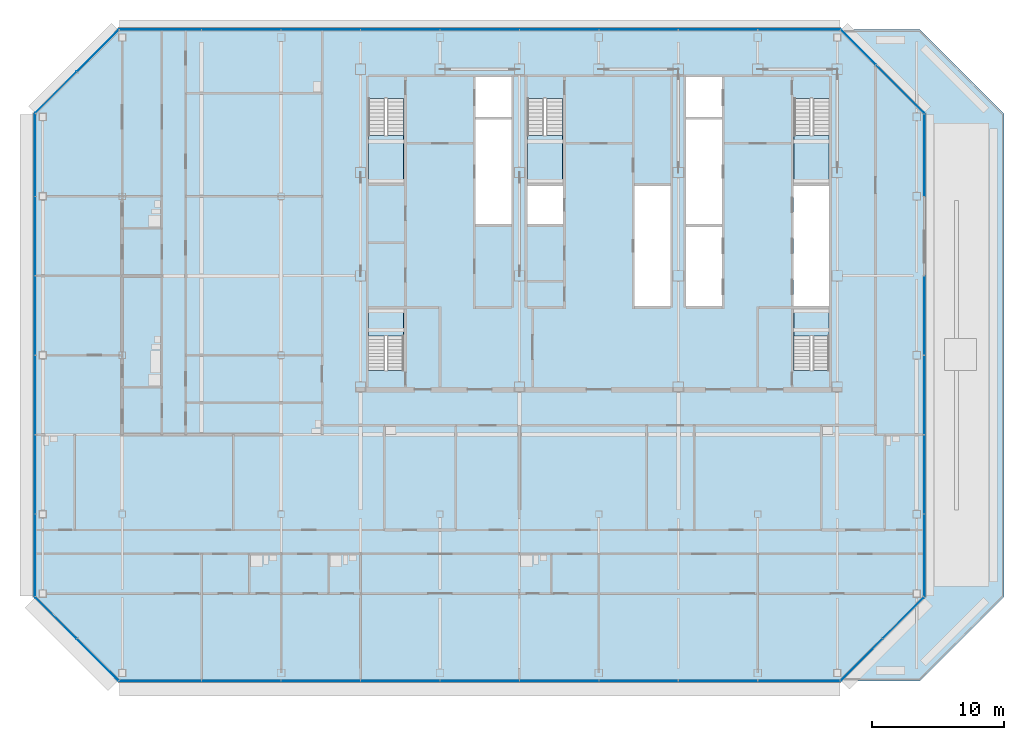
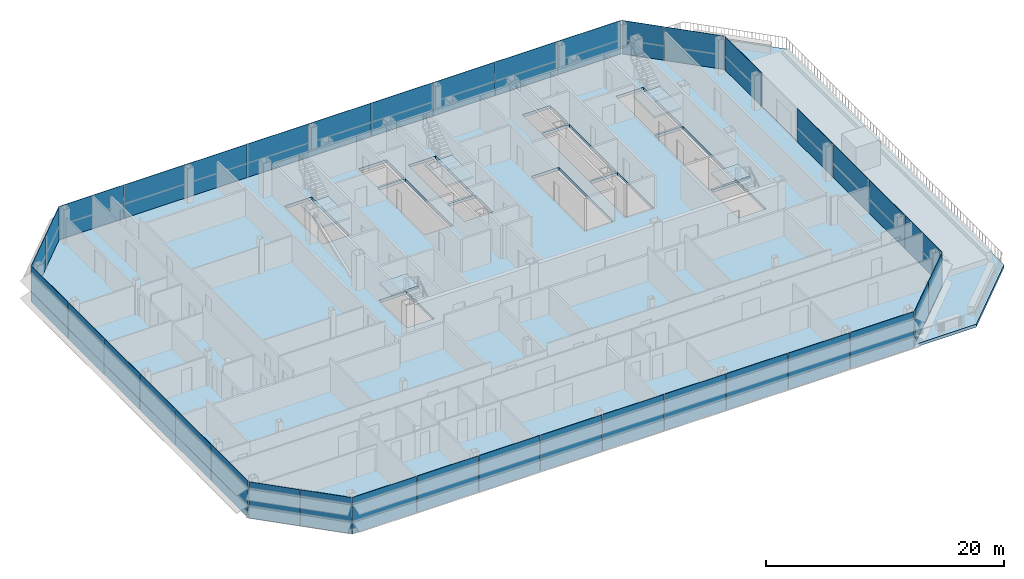
# One storey, part 17 of 28: 37 plates, 7 slabs, 13 elements without a shape of their own.
"""IFC4 building model written with IfcOpenShell, lengths in metres."""

from ifc_helpers import new_model, si_unit, direction, frame, origin, origin_2d, place, context, subcontext, project, spatial, polyline, rectangle, outline, extrude, material, layer, layer_set, type_object, element, aggregate, save


model = new_model("IFC4")

# Units and contexts
model_context = context("Model", 3, precision=1e-05, world=origin(), true_north=direction((0.0, 1.0)))
body_context = subcontext(model_context, "Body", "Model", "MODEL_VIEW")
ifc_project = project(units=[si_unit("LENGTHUNIT", "METRE"), si_unit("AREAUNIT", "SQUARE_METRE"), si_unit("VOLUMEUNIT", "CUBIC_METRE"), si_unit("PLANEANGLEUNIT", "RADIAN"), si_unit("MASSUNIT", "GRAM", prefix="KILO")], contexts=[model_context])

# Site, building, storey
site_placement = place(None, origin())
site = spatial("IfcSite", under=ifc_project, at=site_placement, CompositionType="ELEMENT")
building_placement = place(site_placement, origin())
building = spatial("IfcBuilding", under=site, at=building_placement, Name="Sorahane Residences", CompositionType="ELEMENT")
storey_placement = place(building_placement, frame((0.0, 0.0, 290.800048828125)))
storey = spatial("IfcBuildingStorey", under=building, at=storey_placement, Name="L68", CompositionType="ELEMENT", Elevation=290.800048828125)

# Slab
ifc_material_1 = material(Name="Concrete C35", Category="concrete")
ifc_layer_1 = layer(ifc_material_1, 0.300048828125)
ifc_layer_set_1 = layer_set([ifc_layer_1], Name="Composite floor slab 300 mm Concrete C35")
slab_type_1 = type_object("IfcSlabType", Name="Composite floor slab 300 mm Concrete C35", PredefinedType="FLOOR", material=ifc_layer_set_1)
slab_1_placement = place(storey_placement, frame((0.0, 0.0, -0.300048828125)))
element("IfcSlab", 1, at=slab_1_placement, inside=storey, type_object=slab_type_1, Name="Slab L68", PredefinedType="FLOOR", context=body_context, shape_type="SweptSolid", body=[
    extrude(outline(polyline([(-12.24853515625, -0.60009765625), (-18.60009765625, 5.75146484375), (-18.60009765625, 42.24853515625), (-12.24853515625, 48.60009765625), (42.24853515625, 48.60009765625), (48.60009765625, 42.24853515625), (48.60009765625, 5.75146484375), (42.24853515625, -0.60009765625), (-12.24853515625, -0.60009765625)]), holes=[polyline([(38.699951171875, 27.699951171875), (41.39990234375, 27.699951171875), (41.39990234375, 36.800048828125), (38.699951171875, 36.800048828125), (38.699951171875, 27.699951171875)]), polyline([(30.60009765625, 27.699951171875), (33.300048828125, 27.699951171875), (33.300048828125, 33.699951171875), (30.60009765625, 33.699951171875), (30.60009765625, 27.699951171875)]), polyline([(30.60009765625, 42.0), (33.300048828125, 42.0), (33.300048828125, 45.0), (30.60009765625, 45.0), (30.60009765625, 42.0)]), polyline([(14.699951171875, 42.0), (17.39990234375, 42.0), (17.39990234375, 45.0), (14.699951171875, 45.0), (14.699951171875, 42.0)]), polyline([(6.60009765625, 43.39990234375), (6.60009765625, 37.0), (9.25, 37.0), (9.25, 43.39990234375), (6.60009765625, 43.39990234375)]), polyline([(38.75, 43.39990234375), (38.75, 37.0), (41.39990234375, 37.0), (41.39990234375, 43.39990234375), (38.75, 43.39990234375)]), polyline([(18.60009765625, 43.39990234375), (18.60009765625, 37.0), (21.25, 37.0), (21.25, 43.39990234375), (18.60009765625, 43.39990234375)]), polyline([(9.25, 22.85009765625), (9.25, 27.5), (6.60009765625, 27.5), (6.60009765625, 22.85009765625), (9.25, 22.85009765625)]), polyline([(41.39990234375, 22.85009765625), (41.39990234375, 27.5), (38.75, 27.5), (38.75, 22.85009765625), (41.39990234375, 22.85009765625)]), polyline([(14.699951171875, 33.89990234375), (17.39990234375, 33.89990234375), (17.39990234375, 41.800048828125), (14.699951171875, 41.800048828125), (14.699951171875, 33.89990234375)]), polyline([(30.60009765625, 33.89990234375), (33.300048828125, 33.89990234375), (33.300048828125, 41.800048828125), (30.60009765625, 41.800048828125), (30.60009765625, 33.89990234375)]), polyline([(18.60009765625, 33.89990234375), (21.300048828125, 33.89990234375), (21.300048828125, 36.800048828125), (18.60009765625, 36.800048828125), (18.60009765625, 33.89990234375)]), polyline([(26.699951171875, 27.699951171875), (29.39990234375, 27.699951171875), (29.39990234375, 36.800048828125), (26.699951171875, 36.800048828125), (26.699951171875, 27.699951171875)])]), origin(), (0.0, 0.0, 1.0), 0.300048828125),
])

# Curtain wall, plates
ifc_material_2 = material(Name="Dark low-e glass and black anodised aluminium", Category="aluminium")
curtain_wall_type_1 = type_object("IfcCurtainWallType", Name="Curtain wall CW-1 Typical unitised wall", PredefinedType="NOTDEFINED", material=ifc_material_2)
curtain_wall_1_placement = place(storey_placement, origin())
curtain_wall_1 = element("IfcCurtainWall", 2, at=curtain_wall_1_placement, inside=storey, type_object=curtain_wall_type_1, Name="CW-1 curtain wall L68 S1", PredefinedType="NOTDEFINED")
ifc_material_3 = material(Name="Dark low-e glass with black ceramic frit", Category="glass")
ifc_layer_2 = layer(ifc_material_3, 0.0400390625)
ifc_layer_set_2 = layer_set([ifc_layer_2], Name="Curtain wall glass panel dark low-e with black frit spandrel band")
plate_type = type_object("IfcPlateType", Name="Curtain wall glass panel dark low-e with black frit spandrel band", PredefinedType="CURTAIN_PANEL", material=ifc_layer_set_2)
plate_1_placement = place(storey_placement, frame((-9.11181640625, -0.60009765625, -0.2998046875), z_axis=(0.0, 0.0, 1.0), x_axis=(1.0, 0.0, 0.0)))
plate_1 = element("IfcPlate", 3, at=plate_1_placement, type_object=plate_type, Name="CW-1 glass panel L68 S1.1", PredefinedType="CURTAIN_PANEL", context=body_context, shape_type="SweptSolid", body=[
    extrude(rectangle(XDim=6.173583984375, YDim=0.0400390625, at=origin_2d()), origin(), (0.0, 0.0, 1.0), 3.719970703125),
])
plate_2_placement = place(storey_placement, frame((-3.0, -0.60009765625, -0.2998046875), z_axis=(0.0, 0.0, 1.0), x_axis=(1.0, 0.0, 0.0)))
plate_2 = element("IfcPlate", 4, at=plate_2_placement, type_object=plate_type, Name="CW-1 glass panel L68 S1.2", PredefinedType="CURTAIN_PANEL", context=body_context, shape_type="SweptSolid", body=[
    extrude(rectangle(XDim=5.949951171875, YDim=0.0400390625, at=origin_2d()), origin(), (0.0, 0.0, 1.0), 3.719970703125),
])
plate_3_placement = place(storey_placement, frame((3.0, -0.60009765625, -0.2998046875), z_axis=(0.0, 0.0, 1.0), x_axis=(1.0, 0.0, 0.0)))
plate_3 = element("IfcPlate", 5, at=plate_3_placement, type_object=plate_type, Name="CW-1 glass panel L68 S1.3", PredefinedType="CURTAIN_PANEL", context=body_context, shape_type="SweptSolid", body=[
    extrude(rectangle(XDim=5.949951171875, YDim=0.0400390625, at=origin_2d()), origin(), (0.0, 0.0, 1.0), 3.719970703125),
])
plate_4_placement = place(storey_placement, frame((9.0, -0.60009765625, -0.2998046875), z_axis=(0.0, 0.0, 1.0), x_axis=(1.0, 0.0, 0.0)))
plate_4 = element("IfcPlate", 6, at=plate_4_placement, type_object=plate_type, Name="CW-1 glass panel L68 S1.4", PredefinedType="CURTAIN_PANEL", context=body_context, shape_type="SweptSolid", body=[
    extrude(rectangle(XDim=5.949951171875, YDim=0.0400390625, at=origin_2d()), origin(), (0.0, 0.0, 1.0), 3.719970703125),
])
plate_5_placement = place(storey_placement, frame((15.0, -0.60009765625, -0.2998046875), z_axis=(0.0, 0.0, 1.0), x_axis=(1.0, 0.0, 0.0)))
plate_5 = element("IfcPlate", 7, at=plate_5_placement, type_object=plate_type, Name="CW-1 glass panel L68 S1.5", PredefinedType="CURTAIN_PANEL", context=body_context, shape_type="SweptSolid", body=[
    extrude(rectangle(XDim=5.949951171875, YDim=0.0400390625, at=origin_2d()), origin(), (0.0, 0.0, 1.0), 3.719970703125),
])
plate_6_placement = place(storey_placement, frame((21.0, -0.60009765625, -0.2998046875), z_axis=(0.0, 0.0, 1.0), x_axis=(1.0, 0.0, 0.0)))
plate_6 = element("IfcPlate", 8, at=plate_6_placement, type_object=plate_type, Name="CW-1 glass panel L68 S1.6", PredefinedType="CURTAIN_PANEL", context=body_context, shape_type="SweptSolid", body=[
    extrude(rectangle(XDim=5.949951171875, YDim=0.0400390625, at=origin_2d()), origin(), (0.0, 0.0, 1.0), 3.719970703125),
])
plate_7_placement = place(storey_placement, frame((27.0, -0.60009765625, -0.2998046875), z_axis=(0.0, 0.0, 1.0), x_axis=(1.0, 0.0, 0.0)))
plate_7 = element("IfcPlate", 9, at=plate_7_placement, type_object=plate_type, Name="CW-1 glass panel L68 S1.7", PredefinedType="CURTAIN_PANEL", context=body_context, shape_type="SweptSolid", body=[
    extrude(rectangle(XDim=5.949951171875, YDim=0.0400390625, at=origin_2d()), origin(), (0.0, 0.0, 1.0), 3.719970703125),
])
plate_8_placement = place(storey_placement, frame((33.0, -0.60009765625, -0.2998046875), z_axis=(0.0, 0.0, 1.0), x_axis=(1.0, 0.0, 0.0)))
plate_8 = element("IfcPlate", 10, at=plate_8_placement, type_object=plate_type, Name="CW-1 glass panel L68 S1.8", PredefinedType="CURTAIN_PANEL", context=body_context, shape_type="SweptSolid", body=[
    extrude(rectangle(XDim=5.949951171875, YDim=0.0400390625, at=origin_2d()), origin(), (0.0, 0.0, 1.0), 3.719970703125),
])
plate_9_placement = place(storey_placement, frame((39.11181640625, -0.60009765625, -0.2998046875), z_axis=(0.0, 0.0, 1.0), x_axis=(1.0, 0.0, 0.0)))
plate_9 = element("IfcPlate", 11, at=plate_9_placement, type_object=plate_type, Name="CW-1 glass panel L68 S1.9", PredefinedType="CURTAIN_PANEL", context=body_context, shape_type="SweptSolid", body=[
    extrude(rectangle(XDim=6.173583984375, YDim=0.0400390625, at=origin_2d()), origin(), (0.0, 0.0, 1.0), 3.719970703125),
])
aggregate(curtain_wall_1, [plate_1, plate_2, plate_3, plate_4, plate_5, plate_6, plate_7, plate_8, plate_9])

ifc_material_4 = material(Name="Dark low-e glass and black anodised aluminium", Category="aluminium")
curtain_wall_type_2 = type_object("IfcCurtainWallType", Name="Curtain wall CW-2 Chamfer unitised wall", PredefinedType="NOTDEFINED", material=ifc_material_4)
curtain_wall_2_placement = place(storey_placement, origin())
curtain_wall_2 = element("IfcCurtainWall", 12, at=curtain_wall_2_placement, inside=storey, type_object=curtain_wall_type_2, Name="CW-2 curtain wall L68 SE1", PredefinedType="NOTDEFINED")
plate_10_placement = place(storey_placement, frame((43.84521484375, 0.996826171875, -0.2998046875), z_axis=(0.0, 0.0, 1.0), x_axis=(0.707106781187, 0.707106781187, 0.0)))
plate_10 = element("IfcPlate", 13, at=plate_10_placement, type_object=plate_type, Name="CW-2 glass panel L68 SE1.1", PredefinedType="CURTAIN_PANEL", context=body_context, shape_type="SweptSolid", body=[
    extrude(rectangle(XDim=4.416259765625, YDim=0.0400390625, at=origin_2d()), origin(), (0.0, 0.0, 1.0), 3.719970703125),
])
plate_11_placement = place(storey_placement, frame((47.003173828125, 4.15478515625, -0.2998046875), z_axis=(0.0, 0.0, 1.0), x_axis=(0.707106781187, 0.707106781187, 0.0)))
plate_11 = element("IfcPlate", 14, at=plate_11_placement, type_object=plate_type, Name="CW-2 glass panel L68 SE1.2", PredefinedType="CURTAIN_PANEL", context=body_context, shape_type="SweptSolid", body=[
    extrude(rectangle(XDim=4.416259765625, YDim=0.0400390625, at=origin_2d()), origin(), (0.0, 0.0, 1.0), 3.719970703125),
])
aggregate(curtain_wall_2, [plate_10, plate_11])

curtain_wall_3_placement = place(storey_placement, origin())
curtain_wall_3 = element("IfcCurtainWall", 15, at=curtain_wall_3_placement, inside=storey, type_object=curtain_wall_type_1, Name="CW-1 curtain wall L68 E1", PredefinedType="NOTDEFINED")
plate_12_placement = place(storey_placement, frame((48.60009765625, 8.88818359375, -0.2998046875), z_axis=(0.0, 0.0, 1.0), x_axis=(0.0, 1.0, 0.0)))
plate_12 = element("IfcPlate", 16, at=plate_12_placement, type_object=plate_type, Name="CW-1 glass panel L68 E1.1", PredefinedType="CURTAIN_PANEL", context=body_context, shape_type="SweptSolid", body=[
    extrude(rectangle(XDim=6.173583984375, YDim=0.0400390625, at=origin_2d()), origin(), (0.0, 0.0, 1.0), 3.719970703125),
])
plate_13_placement = place(storey_placement, frame((48.60009765625, 15.0, -0.2998046875), z_axis=(0.0, 0.0, 1.0), x_axis=(0.0, 1.0, 0.0)))
plate_13 = element("IfcPlate", 17, at=plate_13_placement, type_object=plate_type, Name="CW-1 glass panel L68 E1.2", PredefinedType="CURTAIN_PANEL", context=body_context, shape_type="SweptSolid", body=[
    extrude(rectangle(XDim=5.949951171875, YDim=0.0400390625, at=origin_2d()), origin(), (0.0, 0.0, 1.0), 3.719970703125),
])
plate_14_placement = place(storey_placement, frame((48.60009765625, 21.0, -0.2998046875), z_axis=(0.0, 0.0, 1.0), x_axis=(0.0, 1.0, 0.0)))
plate_14 = element("IfcPlate", 18, at=plate_14_placement, type_object=plate_type, Name="CW-1 glass panel L68 E1.3", PredefinedType="CURTAIN_PANEL", context=body_context, shape_type="SweptSolid", body=[
    extrude(rectangle(XDim=5.949951171875, YDim=0.0400390625, at=origin_2d()), origin(), (0.0, 0.0, 1.0), 3.719970703125),
])
plate_15_placement = place(storey_placement, frame((48.60009765625, 27.0, -0.2998046875), z_axis=(0.0, 0.0, 1.0), x_axis=(0.0, 1.0, 0.0)))
plate_15 = element("IfcPlate", 19, at=plate_15_placement, type_object=plate_type, Name="CW-1 glass panel L68 E1.4", PredefinedType="CURTAIN_PANEL", context=body_context, shape_type="SweptSolid", body=[
    extrude(rectangle(XDim=5.949951171875, YDim=0.0400390625, at=origin_2d()), origin(), (0.0, 0.0, 1.0), 3.719970703125),
])
plate_16_placement = place(storey_placement, frame((48.60009765625, 39.11181640625, -0.2998046875), z_axis=(0.0, 0.0, 1.0), x_axis=(0.0, 1.0, 0.0)))
plate_16 = element("IfcPlate", 20, at=plate_16_placement, type_object=plate_type, Name="CW-1 glass panel L68 E1.6", PredefinedType="CURTAIN_PANEL", context=body_context, shape_type="SweptSolid", body=[
    extrude(rectangle(XDim=6.173583984375, YDim=0.0400390625, at=origin_2d()), origin(), (0.0, 0.0, 1.0), 3.719970703125),
])
aggregate(curtain_wall_3, [plate_12, plate_13, plate_14, plate_15, plate_16])

curtain_wall_4_placement = place(storey_placement, origin())
curtain_wall_4 = element("IfcCurtainWall", 21, at=curtain_wall_4_placement, inside=storey, type_object=curtain_wall_type_2, Name="CW-2 curtain wall L68 NE1", PredefinedType="NOTDEFINED")
plate_17_placement = place(storey_placement, frame((46.740966796875, 44.107421875, -0.2998046875), z_axis=(0.0, 0.0, 1.0), x_axis=(-0.707106781187, 0.707106781187, 0.0)))
plate_17 = element("IfcPlate", 22, at=plate_17_placement, type_object=plate_type, Name="CW-2 glass panel L68 NE1.1", PredefinedType="CURTAIN_PANEL", context=body_context, shape_type="SweptSolid", body=[
    extrude(rectangle(XDim=5.157958984375, YDim=0.0400390625, at=origin_2d()), origin(), (0.0, 0.0, 1.0), 3.719970703125),
])
plate_18_placement = place(storey_placement, frame((43.5830078125, 47.265625, -0.2998046875), z_axis=(0.0, 0.0, 1.0), x_axis=(-0.707106781187, 0.707106781187, 0.0)))
plate_18 = element("IfcPlate", 23, at=plate_18_placement, type_object=plate_type, Name="CW-2 glass panel L68 NE1.2", PredefinedType="CURTAIN_PANEL", context=body_context, shape_type="SweptSolid", body=[
    extrude(rectangle(XDim=3.67431640625, YDim=0.0400390625, at=origin_2d()), origin(), (0.0, 0.0, 1.0), 3.719970703125),
])
aggregate(curtain_wall_4, [plate_17, plate_18])

curtain_wall_5_placement = place(storey_placement, origin())
curtain_wall_5 = element("IfcCurtainWall", 24, at=curtain_wall_5_placement, inside=storey, type_object=curtain_wall_type_1, Name="CW-1 curtain wall L68 N1", PredefinedType="NOTDEFINED")
plate_19_placement = place(storey_placement, frame((39.11181640625, 48.60009765625, -0.2998046875), z_axis=(0.0, 0.0, 1.0), x_axis=(-1.0, 0.0, 0.0)))
plate_19 = element("IfcPlate", 25, at=plate_19_placement, type_object=plate_type, Name="CW-1 glass panel L68 N1.1", PredefinedType="CURTAIN_PANEL", context=body_context, shape_type="SweptSolid", body=[
    extrude(rectangle(XDim=6.173583984375, YDim=0.0400390625, at=origin_2d()), origin(), (0.0, 0.0, 1.0), 3.719970703125),
])
plate_20_placement = place(storey_placement, frame((33.0, 48.60009765625, -0.2998046875), z_axis=(0.0, 0.0, 1.0), x_axis=(-1.0, 0.0, 0.0)))
plate_20 = element("IfcPlate", 26, at=plate_20_placement, type_object=plate_type, Name="CW-1 glass panel L68 N1.2", PredefinedType="CURTAIN_PANEL", context=body_context, shape_type="SweptSolid", body=[
    extrude(rectangle(XDim=5.949951171875, YDim=0.0400390625, at=origin_2d()), origin(), (0.0, 0.0, 1.0), 3.719970703125),
])
plate_21_placement = place(storey_placement, frame((27.0, 48.60009765625, -0.2998046875), z_axis=(0.0, 0.0, 1.0), x_axis=(-1.0, 0.0, 0.0)))
plate_21 = element("IfcPlate", 27, at=plate_21_placement, type_object=plate_type, Name="CW-1 glass panel L68 N1.3", PredefinedType="CURTAIN_PANEL", context=body_context, shape_type="SweptSolid", body=[
    extrude(rectangle(XDim=5.949951171875, YDim=0.0400390625, at=origin_2d()), origin(), (0.0, 0.0, 1.0), 3.719970703125),
])
plate_22_placement = place(storey_placement, frame((21.0, 48.60009765625, -0.2998046875), z_axis=(0.0, 0.0, 1.0), x_axis=(-1.0, 0.0, 0.0)))
plate_22 = element("IfcPlate", 28, at=plate_22_placement, type_object=plate_type, Name="CW-1 glass panel L68 N1.4", PredefinedType="CURTAIN_PANEL", context=body_context, shape_type="SweptSolid", body=[
    extrude(rectangle(XDim=5.949951171875, YDim=0.0400390625, at=origin_2d()), origin(), (0.0, 0.0, 1.0), 3.719970703125),
])
plate_23_placement = place(storey_placement, frame((15.0, 48.60009765625, -0.2998046875), z_axis=(0.0, 0.0, 1.0), x_axis=(-1.0, 0.0, 0.0)))
plate_23 = element("IfcPlate", 29, at=plate_23_placement, type_object=plate_type, Name="CW-1 glass panel L68 N1.5", PredefinedType="CURTAIN_PANEL", context=body_context, shape_type="SweptSolid", body=[
    extrude(rectangle(XDim=5.949951171875, YDim=0.0400390625, at=origin_2d()), origin(), (0.0, 0.0, 1.0), 3.719970703125),
])
plate_24_placement = place(storey_placement, frame((9.0, 48.60009765625, -0.2998046875), z_axis=(0.0, 0.0, 1.0), x_axis=(-1.0, 0.0, 0.0)))
plate_24 = element("IfcPlate", 30, at=plate_24_placement, type_object=plate_type, Name="CW-1 glass panel L68 N1.6", PredefinedType="CURTAIN_PANEL", context=body_context, shape_type="SweptSolid", body=[
    extrude(rectangle(XDim=5.949951171875, YDim=0.0400390625, at=origin_2d()), origin(), (0.0, 0.0, 1.0), 3.719970703125),
])
plate_25_placement = place(storey_placement, frame((3.0, 48.60009765625, -0.2998046875), z_axis=(0.0, 0.0, 1.0), x_axis=(-1.0, 0.0, 0.0)))
plate_25 = element("IfcPlate", 31, at=plate_25_placement, type_object=plate_type, Name="CW-1 glass panel L68 N1.7", PredefinedType="CURTAIN_PANEL", context=body_context, shape_type="SweptSolid", body=[
    extrude(rectangle(XDim=5.949951171875, YDim=0.0400390625, at=origin_2d()), origin(), (0.0, 0.0, 1.0), 3.719970703125),
])
plate_26_placement = place(storey_placement, frame((-3.0, 48.60009765625, -0.2998046875), z_axis=(0.0, 0.0, 1.0), x_axis=(-1.0, 0.0, 0.0)))
plate_26 = element("IfcPlate", 32, at=plate_26_placement, type_object=plate_type, Name="CW-1 glass panel L68 N1.8", PredefinedType="CURTAIN_PANEL", context=body_context, shape_type="SweptSolid", body=[
    extrude(rectangle(XDim=5.949951171875, YDim=0.0400390625, at=origin_2d()), origin(), (0.0, 0.0, 1.0), 3.719970703125),
])
plate_27_placement = place(storey_placement, frame((-9.11181640625, 48.60009765625, -0.2998046875), z_axis=(0.0, 0.0, 1.0), x_axis=(-1.0, 0.0, 0.0)))
plate_27 = element("IfcPlate", 33, at=plate_27_placement, type_object=plate_type, Name="CW-1 glass panel L68 N1.9", PredefinedType="CURTAIN_PANEL", context=body_context, shape_type="SweptSolid", body=[
    extrude(rectangle(XDim=6.173583984375, YDim=0.0400390625, at=origin_2d()), origin(), (0.0, 0.0, 1.0), 3.719970703125),
])
aggregate(curtain_wall_5, [plate_19, plate_20, plate_21, plate_22, plate_23, plate_24, plate_25, plate_26, plate_27])

curtain_wall_6_placement = place(storey_placement, origin())
curtain_wall_6 = element("IfcCurtainWall", 34, at=curtain_wall_6_placement, inside=storey, type_object=curtain_wall_type_2, Name="CW-2 curtain wall L68 NW1", PredefinedType="NOTDEFINED")
plate_28_placement = place(storey_placement, frame((-13.84521484375, 47.003173828125, -0.2998046875), z_axis=(0.0, 0.0, 1.0), x_axis=(-0.707106781187, -0.707106781187, 0.0)))
plate_28 = element("IfcPlate", 35, at=plate_28_placement, type_object=plate_type, Name="CW-2 glass panel L68 NW1.1", PredefinedType="CURTAIN_PANEL", context=body_context, shape_type="SweptSolid", body=[
    extrude(rectangle(XDim=4.416259765625, YDim=0.0400390625, at=origin_2d()), origin(), (0.0, 0.0, 1.0), 3.719970703125),
])
plate_29_placement = place(storey_placement, frame((-17.003173828125, 43.84521484375, -0.2998046875), z_axis=(0.0, 0.0, 1.0), x_axis=(-0.707106781187, -0.707106781187, 0.0)))
plate_29 = element("IfcPlate", 36, at=plate_29_placement, type_object=plate_type, Name="CW-2 glass panel L68 NW1.2", PredefinedType="CURTAIN_PANEL", context=body_context, shape_type="SweptSolid", body=[
    extrude(rectangle(XDim=4.416259765625, YDim=0.0400390625, at=origin_2d()), origin(), (0.0, 0.0, 1.0), 3.719970703125),
])
aggregate(curtain_wall_6, [plate_28, plate_29])

curtain_wall_7_placement = place(storey_placement, origin())
curtain_wall_7 = element("IfcCurtainWall", 37, at=curtain_wall_7_placement, inside=storey, type_object=curtain_wall_type_1, Name="CW-1 curtain wall L68 W1", PredefinedType="NOTDEFINED")
plate_30_placement = place(storey_placement, frame((-18.60009765625, 39.11181640625, -0.2998046875), z_axis=(0.0, 0.0, 1.0), x_axis=(0.0, -1.0, 0.0)))
plate_30 = element("IfcPlate", 38, at=plate_30_placement, type_object=plate_type, Name="CW-1 glass panel L68 W1.1", PredefinedType="CURTAIN_PANEL", context=body_context, shape_type="SweptSolid", body=[
    extrude(rectangle(XDim=6.173583984375, YDim=0.0400390625, at=origin_2d()), origin(), (0.0, 0.0, 1.0), 3.719970703125),
])
plate_31_placement = place(storey_placement, frame((-18.60009765625, 33.0, -0.2998046875), z_axis=(0.0, 0.0, 1.0), x_axis=(0.0, -1.0, 0.0)))
plate_31 = element("IfcPlate", 39, at=plate_31_placement, type_object=plate_type, Name="CW-1 glass panel L68 W1.2", PredefinedType="CURTAIN_PANEL", context=body_context, shape_type="SweptSolid", body=[
    extrude(rectangle(XDim=5.949951171875, YDim=0.0400390625, at=origin_2d()), origin(), (0.0, 0.0, 1.0), 3.719970703125),
])
plate_32_placement = place(storey_placement, frame((-18.60009765625, 27.0, -0.2998046875), z_axis=(0.0, 0.0, 1.0), x_axis=(0.0, -1.0, 0.0)))
plate_32 = element("IfcPlate", 40, at=plate_32_placement, type_object=plate_type, Name="CW-1 glass panel L68 W1.3", PredefinedType="CURTAIN_PANEL", context=body_context, shape_type="SweptSolid", body=[
    extrude(rectangle(XDim=5.949951171875, YDim=0.0400390625, at=origin_2d()), origin(), (0.0, 0.0, 1.0), 3.719970703125),
])
plate_33_placement = place(storey_placement, frame((-18.60009765625, 21.0, -0.2998046875), z_axis=(0.0, 0.0, 1.0), x_axis=(0.0, -1.0, 0.0)))
plate_33 = element("IfcPlate", 41, at=plate_33_placement, type_object=plate_type, Name="CW-1 glass panel L68 W1.4", PredefinedType="CURTAIN_PANEL", context=body_context, shape_type="SweptSolid", body=[
    extrude(rectangle(XDim=5.949951171875, YDim=0.0400390625, at=origin_2d()), origin(), (0.0, 0.0, 1.0), 3.719970703125),
])
plate_34_placement = place(storey_placement, frame((-18.60009765625, 15.0, -0.2998046875), z_axis=(0.0, 0.0, 1.0), x_axis=(0.0, -1.0, 0.0)))
plate_34 = element("IfcPlate", 42, at=plate_34_placement, type_object=plate_type, Name="CW-1 glass panel L68 W1.5", PredefinedType="CURTAIN_PANEL", context=body_context, shape_type="SweptSolid", body=[
    extrude(rectangle(XDim=5.949951171875, YDim=0.0400390625, at=origin_2d()), origin(), (0.0, 0.0, 1.0), 3.719970703125),
])
plate_35_placement = place(storey_placement, frame((-18.60009765625, 8.88818359375, -0.2998046875), z_axis=(0.0, 0.0, 1.0), x_axis=(0.0, -1.0, 0.0)))
plate_35 = element("IfcPlate", 43, at=plate_35_placement, type_object=plate_type, Name="CW-1 glass panel L68 W1.6", PredefinedType="CURTAIN_PANEL", context=body_context, shape_type="SweptSolid", body=[
    extrude(rectangle(XDim=6.173583984375, YDim=0.0400390625, at=origin_2d()), origin(), (0.0, 0.0, 1.0), 3.719970703125),
])
aggregate(curtain_wall_7, [plate_30, plate_31, plate_32, plate_33, plate_34, plate_35])

curtain_wall_8_placement = place(storey_placement, origin())
curtain_wall_8 = element("IfcCurtainWall", 44, at=curtain_wall_8_placement, inside=storey, type_object=curtain_wall_type_2, Name="CW-2 curtain wall L68 SW1", PredefinedType="NOTDEFINED")
plate_36_placement = place(storey_placement, frame((-17.003173828125, 4.15478515625, -0.2998046875), z_axis=(0.0, 0.0, 1.0), x_axis=(0.707106781187, -0.707106781187, 0.0)))
plate_36 = element("IfcPlate", 45, at=plate_36_placement, type_object=plate_type, Name="CW-2 glass panel L68 SW1.1", PredefinedType="CURTAIN_PANEL", context=body_context, shape_type="SweptSolid", body=[
    extrude(rectangle(XDim=4.416259765625, YDim=0.0400390625, at=origin_2d()), origin(), (0.0, 0.0, 1.0), 3.719970703125),
])
plate_37_placement = place(storey_placement, frame((-13.84521484375, 0.996826171875, -0.2998046875), z_axis=(0.0, 0.0, 1.0), x_axis=(0.707106781187, -0.707106781187, 0.0)))
plate_37 = element("IfcPlate", 46, at=plate_37_placement, type_object=plate_type, Name="CW-2 glass panel L68 SW1.2", PredefinedType="CURTAIN_PANEL", context=body_context, shape_type="SweptSolid", body=[
    extrude(rectangle(XDim=4.416259765625, YDim=0.0400390625, at=origin_2d()), origin(), (0.0, 0.0, 1.0), 3.719970703125),
])
aggregate(curtain_wall_8, [plate_36, plate_37])

# Slab
ifc_material_5 = material(Name="Concrete C35", Category="concrete")
ifc_layer_3 = layer(ifc_material_5, 0.300048828125)
ifc_layer_set_3 = layer_set([ifc_layer_3], Name="Roof terrace slab Concrete C35 paved 300")
slab_type_2 = type_object("IfcSlabType", Name="Roof terrace slab Concrete C35 paved 300", PredefinedType="ROOF", material=ifc_layer_set_3)
slab_2_placement = place(storey_placement, frame((0.0, 0.0, -0.300048828125)))
element("IfcSlab", 47, at=slab_2_placement, inside=storey, type_object=slab_type_2, Name="Terrace slab L67.1", PredefinedType="ROOF", context=body_context, shape_type="SweptSolid", body=[
    extrude(outline(polyline([(48.24853515625, 48.60009765625), (54.60009765625, 42.24853515625), (54.60009765625, 5.75146484375), (48.24853515625, -0.60009765625), (42.24853515625, -0.60009765625), (48.60009765625, 5.75146484375), (48.60009765625, 42.24853515625), (42.24853515625, 48.60009765625), (48.24853515625, 48.60009765625)])), origin(), (0.0, 0.0, 1.0), 0.300048828125),
])

# Stair, slab
ifc_material_6 = material(Name="Concrete C40", Category="concrete")
stair_type = type_object("IfcStairType", Name="Dog-leg stair 1250 Concrete C40", PredefinedType="HALF_TURN_STAIR", material=ifc_material_6)
stair_1_placement = place(storey_placement, origin())
stair_1 = element("IfcStair", 48, at=stair_1_placement, inside=storey, type_object=stair_type, Name="L68 Stair S1", PredefinedType="HALF_TURN_STAIR")
ifc_material_7 = material(Name="Concrete C40", Category="concrete")
ifc_layer_4 = layer(ifc_material_7, 0.199951171875)
ifc_layer_set_4 = layer_set([ifc_layer_4], Name="Stair landing 200 Concrete C40")
slab_type_3 = type_object("IfcSlabType", Name="Stair landing 200 Concrete C40", PredefinedType="LANDING", material=ifc_layer_set_4)
slab_3_placement = place(storey_placement, frame((0.0, 0.0, 1.599853515625)))
slab_3 = element("IfcSlab", 49, at=slab_3_placement, type_object=slab_type_3, Name="S1 landing 1", PredefinedType="LANDING", context=body_context, shape_type="SweptSolid", body=[
    extrude(outline(polyline([(6.60009765625, 40.60009765625), (6.60009765625, 37.0), (9.25, 37.0), (9.25, 40.60009765625), (6.60009765625, 40.60009765625)])), origin(), (0.0, 0.0, 1.0), 0.2001953125),
])
aggregate(stair_1, [slab_3])

stair_2_placement = place(storey_placement, origin())
stair_2 = element("IfcStair", 50, at=stair_2_placement, inside=storey, type_object=stair_type, Name="L68 Stair S2", PredefinedType="HALF_TURN_STAIR")
slab_4_placement = place(storey_placement, frame((0.0, 0.0, 1.599853515625)))
slab_4 = element("IfcSlab", 51, at=slab_4_placement, type_object=slab_type_3, Name="S2 landing 1", PredefinedType="LANDING", context=body_context, shape_type="SweptSolid", body=[
    extrude(outline(polyline([(38.75, 40.60009765625), (38.75, 37.0), (41.39990234375, 37.0), (41.39990234375, 40.60009765625), (38.75, 40.60009765625)])), origin(), (0.0, 0.0, 1.0), 0.2001953125),
])
aggregate(stair_2, [slab_4])

stair_3_placement = place(storey_placement, origin())
stair_3 = element("IfcStair", 52, at=stair_3_placement, inside=storey, type_object=stair_type, Name="L68 Stair S3", PredefinedType="HALF_TURN_STAIR")
slab_5_placement = place(storey_placement, frame((0.0, 0.0, 1.599853515625)))
slab_5 = element("IfcSlab", 53, at=slab_5_placement, type_object=slab_type_3, Name="S3 landing 1", PredefinedType="LANDING", context=body_context, shape_type="SweptSolid", body=[
    extrude(outline(polyline([(18.60009765625, 40.60009765625), (18.60009765625, 37.0), (21.25, 37.0), (21.25, 40.60009765625), (18.60009765625, 40.60009765625)])), origin(), (0.0, 0.0, 1.0), 0.2001953125),
])
aggregate(stair_3, [slab_5])

stair_4_placement = place(storey_placement, origin())
stair_4 = element("IfcStair", 54, at=stair_4_placement, inside=storey, type_object=stair_type, Name="L68 Stair S4", PredefinedType="HALF_TURN_STAIR")
slab_6_placement = place(storey_placement, frame((0.0, 0.0, 1.599853515625)))
slab_6 = element("IfcSlab", 55, at=slab_6_placement, type_object=slab_type_3, Name="S4 landing 1", PredefinedType="LANDING", context=body_context, shape_type="SweptSolid", body=[
    extrude(outline(polyline([(9.25, 25.449951171875), (9.25, 27.5), (6.60009765625, 27.5), (6.60009765625, 25.449951171875), (9.25, 25.449951171875)])), origin(), (0.0, 0.0, 1.0), 0.2001953125),
])
aggregate(stair_4, [slab_6])

stair_5_placement = place(storey_placement, origin())
stair_5 = element("IfcStair", 56, at=stair_5_placement, inside=storey, type_object=stair_type, Name="L68 Stair S5", PredefinedType="HALF_TURN_STAIR")
slab_7_placement = place(storey_placement, frame((0.0, 0.0, 1.599853515625)))
slab_7 = element("IfcSlab", 57, at=slab_7_placement, type_object=slab_type_3, Name="S5 landing 1", PredefinedType="LANDING", context=body_context, shape_type="SweptSolid", body=[
    extrude(outline(polyline([(41.39990234375, 25.449951171875), (41.39990234375, 27.5), (38.75, 27.5), (38.75, 25.449951171875), (41.39990234375, 25.449951171875)])), origin(), (0.0, 0.0, 1.0), 0.2001953125),
])
aggregate(stair_5, [slab_7])

save(model, "model.ifc")
